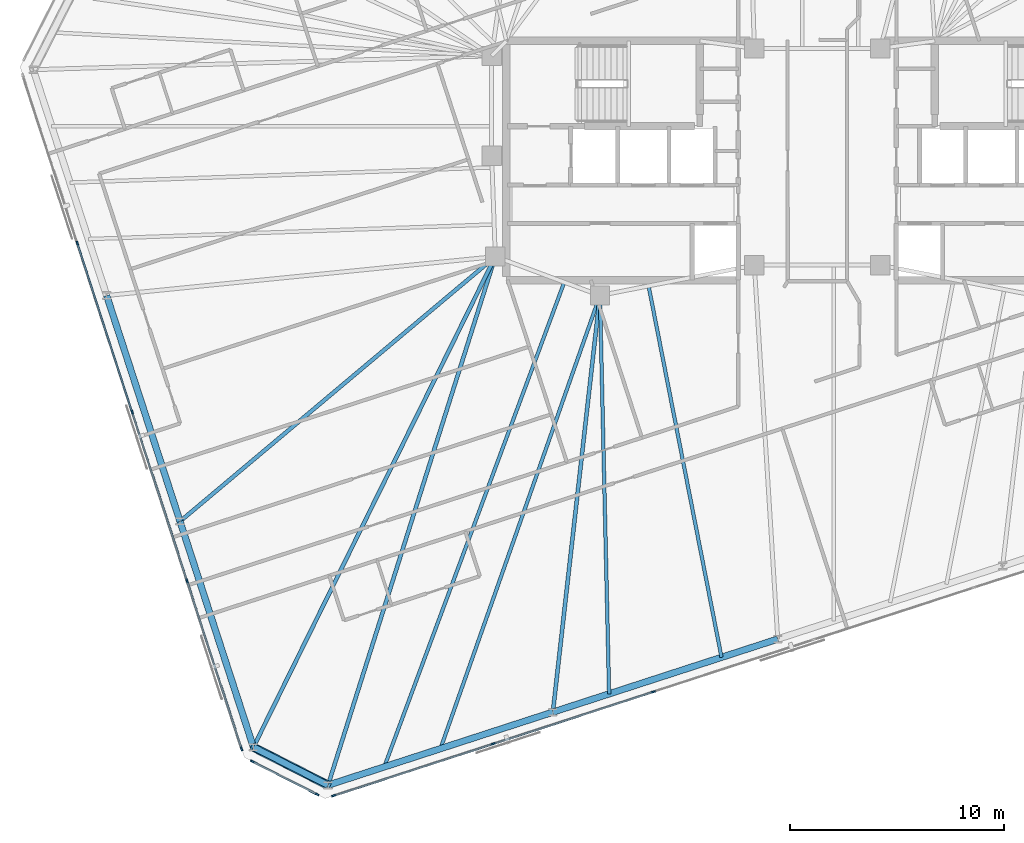
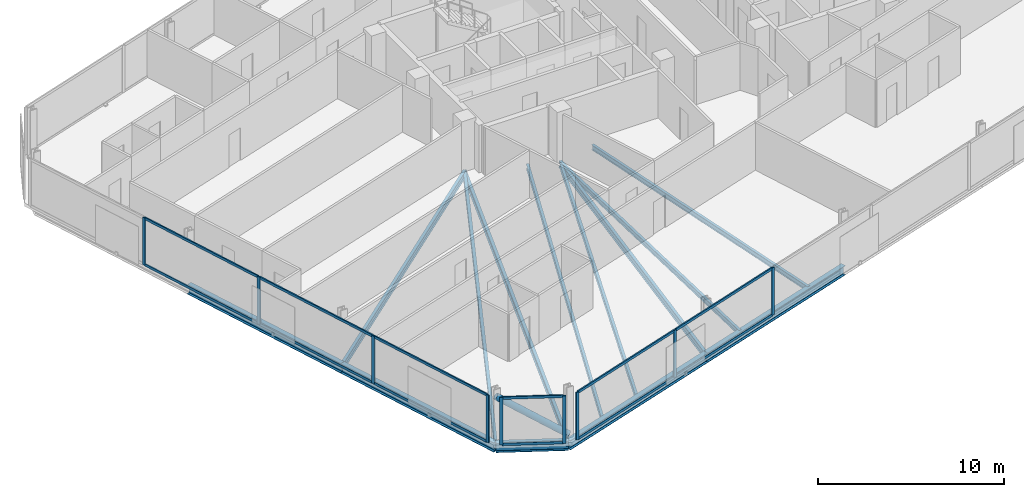
# One storey, part 5 of 19: 22 members, 13 beams, 3 elements without a shape of their own.
"""IFC4 building model written with IfcOpenShell, lengths in metres."""

from ifc_helpers import new_model, si_unit, direction, frame, origin, origin_2d, place, context, subcontext, project, spatial, rectangle, hollow_circle, i_section, extrude, material, material_profile, profile_set, type_object, element, aggregate, save


model = new_model("IFC4")

# Units and contexts
model_context = context("Model", 3, precision=1e-05, world=origin(), true_north=direction((0.0, 1.0)))
body_context = subcontext(model_context, "Body", "Model", "MODEL_VIEW")
ifc_project = project(units=[si_unit("LENGTHUNIT", "METRE"), si_unit("AREAUNIT", "SQUARE_METRE"), si_unit("VOLUMEUNIT", "CUBIC_METRE"), si_unit("PLANEANGLEUNIT", "RADIAN"), si_unit("MASSUNIT", "GRAM", prefix="KILO")], contexts=[model_context])

# Site, building, storey
site_placement = place(None, origin())
site = spatial("IfcSite", under=ifc_project, at=site_placement, CompositionType="ELEMENT")
building_placement = place(site_placement, origin())
building = spatial("IfcBuilding", under=site, at=building_placement, Name="Menara Jurai Vektor", CompositionType="ELEMENT")
storey_placement = place(building_placement, frame((0.0, 0.0, 210.89990234375)))
storey = spatial("IfcBuildingStorey", under=building, at=storey_placement, Name="L55", CompositionType="ELEMENT", Elevation=210.89990234375)

# Curtain wall, members
ifc_material_1 = material(Name="Anodised Pale Aluminium & Low-E Double Glazing", Category="aluminium")
curtain_wall_type = type_object("IfcCurtainWallType", Name="CW-BLK4", PredefinedType="NOTDEFINED", material=ifc_material_1)
curtain_wall_1_placement = place(storey_placement, origin())
curtain_wall_1 = element("IfcCurtainWall", 1, at=curtain_wall_1_placement, inside=storey, type_object=curtain_wall_type, Name="Unitised Curtain Wall L55 F01", PredefinedType="NOTDEFINED")
ifc_material_2 = material(Name="Anodised Pale Aluminium Mullion", Category="aluminium")
ifc_material_profile_1 = material_profile(ifc_material_2, rectangle(XDim=0.080078125, YDim=0.18994140625, at=origin_2d()), Name="ALU MUL 80x190")
ifc_profile_set_1 = profile_set([ifc_material_profile_1], Name="Anodised Pale Aluminium Mullion")
member_type_1 = type_object("IfcMemberType", Name="CW-BLK4-MUL", PredefinedType="MULLION", material=ifc_profile_set_1)
member_1_placement = place(storey_placement, frame((-22.649658203125, -29.743896484375, 0.0), z_axis=(0.0, 0.0, 1.0), x_axis=(-0.309017344167, 0.951056402641, 0.0)))
member_1 = element("IfcMember", 2, at=member_1_placement, type_object=member_type_1, Name="CW-04 mullion 1", PredefinedType="MULLION", context=body_context, shape_type="SweptSolid", body=[
    extrude(rectangle(XDim=0.080078125, YDim=0.18994140625, at=origin_2d()), origin(), (0.0, 0.0, 1.0), 3.125),
])
member_2_placement = place(storey_placement, frame((-15.1826171875, -27.317626953125, 0.0), z_axis=(0.0, 0.0, 1.0), x_axis=(-0.309017344167, 0.951056402641, 0.0)))
member_2 = element("IfcMember", 3, at=member_2_placement, type_object=member_type_1, Name="CW-04 mullion 2", PredefinedType="MULLION", context=body_context, shape_type="SweptSolid", body=[
    extrude(rectangle(XDim=0.080078125, YDim=0.18994140625, at=origin_2d()), origin(), (0.0, 0.0, 1.0), 3.125),
])
member_3_placement = place(storey_placement, frame((-7.677490234375, -24.879150390625, 0.0), z_axis=(0.0, 0.0, 1.0), x_axis=(-0.309017344167, 0.951056402641, 0.0)))
member_3 = element("IfcMember", 4, at=member_3_placement, type_object=member_type_1, Name="CW-04 mullion 3", PredefinedType="MULLION", context=body_context, shape_type="SweptSolid", body=[
    extrude(rectangle(XDim=0.080078125, YDim=0.18994140625, at=origin_2d()), origin(), (0.0, 0.0, 1.0), 3.125),
])

curtain_wall_2_placement = place(storey_placement, origin())
curtain_wall_2 = element("IfcCurtainWall", 5, at=curtain_wall_2_placement, inside=storey, type_object=curtain_wall_type, Name="Unitised Curtain Wall L55 F07", PredefinedType="NOTDEFINED")
member_4_placement = place(storey_placement, frame((-34.650634765625, -3.876220703125, 0.0), z_axis=(0.0, 0.0, 1.0), x_axis=(0.95105668295, 0.309016481464, 0.0)))
member_4 = element("IfcMember", 6, at=member_4_placement, type_object=member_type_1, Name="CW-04 mullion 2", PredefinedType="MULLION", context=body_context, shape_type="SweptSolid", body=[
    extrude(rectangle(XDim=0.080078125, YDim=0.18994140625, at=origin_2d()), origin(), (0.0, 0.0, 1.0), 3.125),
])
member_5_placement = place(storey_placement, frame((-32.082763671875, -11.779541015625, 0.0), z_axis=(0.0, 0.0, 1.0), x_axis=(0.95105668295, 0.309016481464, 0.0)))
member_5 = element("IfcMember", 7, at=member_5_placement, type_object=member_type_1, Name="CW-04 mullion 3", PredefinedType="MULLION", context=body_context, shape_type="SweptSolid", body=[
    extrude(rectangle(XDim=0.080078125, YDim=0.18994140625, at=origin_2d()), origin(), (0.0, 0.0, 1.0), 3.125),
])
member_6_placement = place(storey_placement, frame((-29.514892578125, -19.682861328125, 0.0), z_axis=(0.0, 0.0, 1.0), x_axis=(0.95105668295, 0.309016481464, 0.0)))
member_6 = element("IfcMember", 8, at=member_6_placement, type_object=member_type_1, Name="CW-04 mullion 4", PredefinedType="MULLION", context=body_context, shape_type="SweptSolid", body=[
    extrude(rectangle(XDim=0.080078125, YDim=0.18994140625, at=origin_2d()), origin(), (0.0, 0.0, 1.0), 3.125),
])
member_7_placement = place(storey_placement, frame((-26.959228515625, -27.548095703125, 0.0), z_axis=(0.0, 0.0, 1.0), x_axis=(0.95105668295, 0.309016481464, 0.0)))
member_7 = element("IfcMember", 9, at=member_7_placement, type_object=member_type_1, Name="CW-04 mullion 5", PredefinedType="MULLION", context=body_context, shape_type="SweptSolid", body=[
    extrude(rectangle(XDim=0.080078125, YDim=0.18994140625, at=origin_2d()), origin(), (0.0, 0.0, 1.0), 3.125),
])

curtain_wall_3_placement = place(storey_placement, origin())
curtain_wall_3 = element("IfcCurtainWall", 10, at=curtain_wall_3_placement, inside=storey, type_object=curtain_wall_type, Name="Unitised Curtain Wall L55 F08", PredefinedType="NOTDEFINED")
member_8_placement = place(storey_placement, frame((-26.455322265625, -28.13818359375, 0.0), z_axis=(0.0, 0.0, 1.0), x_axis=(0.453988579828, 0.89100750243, 0.0)))
member_8 = element("IfcMember", 11, at=member_8_placement, type_object=member_type_1, Name="CW-04 mullion 1", PredefinedType="MULLION", context=body_context, shape_type="SweptSolid", body=[
    extrude(rectangle(XDim=0.080078125, YDim=0.18994140625, at=origin_2d()), origin(), (0.0, 0.0, 1.0), 3.125),
])
member_9_placement = place(storey_placement, frame((-23.42333984375, -29.682861328125, 0.0), z_axis=(0.0, 0.0, 1.0), x_axis=(0.453988579828, 0.89100750243, 0.0)))
member_9 = element("IfcMember", 12, at=member_9_placement, type_object=member_type_1, Name="CW-04 mullion 2", PredefinedType="MULLION", context=body_context, shape_type="SweptSolid", body=[
    extrude(rectangle(XDim=0.080078125, YDim=0.18994140625, at=origin_2d()), origin(), (0.0, 0.0, 1.0), 3.125),
])

# Member
ifc_material_3 = material(Name="Anodised Pale Aluminium Transom", Category="aluminium")
ifc_material_profile_2 = material_profile(ifc_material_3, rectangle(XDim=0.080078125, YDim=0.1650390625, at=origin_2d()), Name="ALU TRN 80x165")
ifc_profile_set_2 = profile_set([ifc_material_profile_2], Name="Anodised Pale Aluminium Transom")
member_type_2 = type_object("IfcMemberType", Name="CW-BLK4-TRN", PredefinedType="USERDEFINED", material=ifc_profile_set_2)
member_10_placement = place(storey_placement, frame((-22.61181640625, -29.7314453125, 0.0400390625), z_axis=(0.951062230089, 0.308999408573, 0.0), x_axis=(-0.308999408573, 0.951062230089, 0.0)))
member_10 = element("IfcMember", 13, at=member_10_placement, type_object=member_type_2, Name="CW-04 transom 1.1", ObjectType="TRANSOM", PredefinedType="USERDEFINED", context=body_context, shape_type="SweptSolid", body=[
    extrude(rectangle(XDim=0.080078125, YDim=0.1650390625, at=origin_2d()), origin(), (0.0, 0.0, 1.0), 7.771484375),
])

member_11_placement = place(storey_placement, frame((-22.61181640625, -29.7314453125, 3.085205078125), z_axis=(0.951062230089, 0.308999408573, 0.0), x_axis=(-0.308999408573, 0.951062230089, 0.0)))
member_11 = element("IfcMember", 14, at=member_11_placement, type_object=member_type_2, Name="CW-04 transom 1.2", ObjectType="TRANSOM", PredefinedType="USERDEFINED", context=body_context, shape_type="SweptSolid", body=[
    extrude(rectangle(XDim=0.080078125, YDim=0.1650390625, at=origin_2d()), origin(), (0.0, 0.0, 1.0), 7.771484375),
])

member_12_placement = place(storey_placement, frame((-15.14453125, -27.30517578125, 0.0400390625), z_axis=(0.95105634578, 0.309017519167, 0.0), x_axis=(-0.309017519167, 0.95105634578, 0.0)))
member_12 = element("IfcMember", 15, at=member_12_placement, type_object=member_type_2, Name="CW-04 transom 2.1", ObjectType="TRANSOM", PredefinedType="USERDEFINED", context=body_context, shape_type="SweptSolid", body=[
    extrude(rectangle(XDim=0.080078125, YDim=0.1650390625, at=origin_2d()), origin(), (0.0, 0.0, 1.0), 7.811279296875),
])

member_13_placement = place(storey_placement, frame((-15.14453125, -27.30517578125, 3.085205078125), z_axis=(0.95105634578, 0.309017519167, 0.0), x_axis=(-0.309017519167, 0.95105634578, 0.0)))
member_13 = element("IfcMember", 16, at=member_13_placement, type_object=member_type_2, Name="CW-04 transom 2.2", ObjectType="TRANSOM", PredefinedType="USERDEFINED", context=body_context, shape_type="SweptSolid", body=[
    extrude(rectangle(XDim=0.080078125, YDim=0.1650390625, at=origin_2d()), origin(), (0.0, 0.0, 1.0), 7.811279296875),
])

aggregate(curtain_wall_1, [member_1, member_2, member_3, member_10, member_11, member_12, member_13])

member_14_placement = place(storey_placement, frame((-34.638427734375, -3.914306640625, 0.0400390625), z_axis=(0.309018994408, -0.951055866443, 0.0), x_axis=(0.951055866443, 0.309018994408, 0.0)))
member_14 = element("IfcMember", 17, at=member_14_placement, type_object=member_type_2, Name="CW-04 transom 2.1", ObjectType="TRANSOM", PredefinedType="USERDEFINED", context=body_context, shape_type="SweptSolid", body=[
    extrude(rectangle(XDim=0.080078125, YDim=0.1650390625, at=origin_2d()), origin(), (0.0, 0.0, 1.0), 8.22998046875),
])

member_15_placement = place(storey_placement, frame((-34.638427734375, -3.914306640625, 3.085205078125), z_axis=(0.309018994408, -0.951055866443, 0.0), x_axis=(0.951055866443, 0.309018994408, 0.0)))
member_15 = element("IfcMember", 18, at=member_15_placement, type_object=member_type_2, Name="CW-04 transom 2.2", ObjectType="TRANSOM", PredefinedType="USERDEFINED", context=body_context, shape_type="SweptSolid", body=[
    extrude(rectangle(XDim=0.080078125, YDim=0.1650390625, at=origin_2d()), origin(), (0.0, 0.0, 1.0), 8.22998046875),
])

member_16_placement = place(storey_placement, frame((-32.0703125, -11.817626953125, 0.0400390625), z_axis=(0.309018994408, -0.951055866443, 0.0), x_axis=(0.951055866443, 0.309018994408, 0.0)))
member_16 = element("IfcMember", 19, at=member_16_placement, type_object=member_type_2, Name="CW-04 transom 3.1", ObjectType="TRANSOM", PredefinedType="USERDEFINED", context=body_context, shape_type="SweptSolid", body=[
    extrude(rectangle(XDim=0.080078125, YDim=0.1650390625, at=origin_2d()), origin(), (0.0, 0.0, 1.0), 8.22998046875),
])

member_17_placement = place(storey_placement, frame((-32.0703125, -11.817626953125, 3.085205078125), z_axis=(0.309018994408, -0.951055866443, 0.0), x_axis=(0.951055866443, 0.309018994408, 0.0)))
member_17 = element("IfcMember", 20, at=member_17_placement, type_object=member_type_2, Name="CW-04 transom 3.2", ObjectType="TRANSOM", PredefinedType="USERDEFINED", context=body_context, shape_type="SweptSolid", body=[
    extrude(rectangle(XDim=0.080078125, YDim=0.1650390625, at=origin_2d()), origin(), (0.0, 0.0, 1.0), 8.22998046875),
])

member_18_placement = place(storey_placement, frame((-29.50244140625, -19.720947265625, 0.0400390625), z_axis=(0.309010577384, -0.951058601278, 0.0), x_axis=(0.951058601278, 0.309010577384, 0.0)))
member_18 = element("IfcMember", 21, at=member_18_placement, type_object=member_type_2, Name="CW-04 transom 4.1", ObjectType="TRANSOM", PredefinedType="USERDEFINED", context=body_context, shape_type="SweptSolid", body=[
    extrude(rectangle(XDim=0.080078125, YDim=0.1650390625, at=origin_2d()), origin(), (0.0, 0.0, 1.0), 8.18994140625),
])

member_19_placement = place(storey_placement, frame((-29.50244140625, -19.720947265625, 3.085205078125), z_axis=(0.309010577384, -0.951058601278, 0.0), x_axis=(0.951058601278, 0.309010577384, 0.0)))
member_19 = element("IfcMember", 22, at=member_19_placement, type_object=member_type_2, Name="CW-04 transom 4.2", ObjectType="TRANSOM", PredefinedType="USERDEFINED", context=body_context, shape_type="SweptSolid", body=[
    extrude(rectangle(XDim=0.080078125, YDim=0.1650390625, at=origin_2d()), origin(), (0.0, 0.0, 1.0), 8.18994140625),
])

aggregate(curtain_wall_2, [member_4, member_5, member_6, member_7, member_14, member_15, member_16, member_17, member_18, member_19])

member_20_placement = place(storey_placement, frame((-26.419677734375, -28.15625, 0.0400390625), z_axis=(0.89100697374, -0.453989617444, 0.0), x_axis=(0.453989617444, 0.89100697374, 0.0)))
member_20 = element("IfcMember", 23, at=member_20_placement, type_object=member_type_2, Name="CW-04 transom 1.1", ObjectType="TRANSOM", PredefinedType="USERDEFINED", context=body_context, shape_type="SweptSolid", body=[
    extrude(rectangle(XDim=0.080078125, YDim=0.1650390625, at=origin_2d()), origin(), (0.0, 0.0, 1.0), 3.32275390625),
])

member_21_placement = place(storey_placement, frame((-26.419677734375, -28.15625, 3.085205078125), z_axis=(0.89100697374, -0.453989617444, 0.0), x_axis=(0.453989617444, 0.89100697374, 0.0)))
member_21 = element("IfcMember", 24, at=member_21_placement, type_object=member_type_2, Name="CW-04 transom 1.2", ObjectType="TRANSOM", PredefinedType="USERDEFINED", context=body_context, shape_type="SweptSolid", body=[
    extrude(rectangle(XDim=0.080078125, YDim=0.1650390625, at=origin_2d()), origin(), (0.0, 0.0, 1.0), 3.32275390625),
])

aggregate(curtain_wall_3, [member_8, member_9, member_20, member_21])

# Beams
ifc_material_4 = material(Name="Steel S355", Category="steel")
ifc_material_profile_3 = material_profile(ifc_material_4, i_section(OverallWidth=0.18505859375, OverallDepth=0.429931640625, WebThickness=0.010986328125, FlangeThickness=0.01806640625, at=origin_2d()), Name="PG 430x185x76")
ifc_profile_set_3 = profile_set([ifc_material_profile_3], Name="Steel S355")
beam_type_1 = type_object("IfcBeamType", Name="STR-BM-430", PredefinedType="BEAM", material=ifc_profile_set_3)
beam_1_placement = place(storey_placement, frame((-22.912841796875, -29.2509765625, -0.43994140625), z_axis=(0.301715059084, 0.953398145122, 0.0), x_axis=(-0.953398145122, 0.301715059084, 0.0)))
element("IfcBeam", 25, at=beam_1_placement, inside=storey, type_object=beam_type_1, Name="Radial Floor Girder L55-S1", PredefinedType="BEAM", context=body_context, shape_type="SweptSolid", body=[
    extrude(i_section(OverallWidth=0.18505859375, OverallDepth=0.429931640625, WebThickness=0.010986328125, FlangeThickness=0.01806640625, at=origin_2d()), origin(), (0.0, 0.0, 1.0), 25.960693359375),
])
beam_2_placement = place(storey_placement, frame((-12.383544921875, -25.829833984375, -0.43994140625), z_axis=(0.112235588534, 0.993681625404, 0.0), x_axis=(-0.993681625404, 0.112235588534, 0.0)))
element("IfcBeam", 26, at=beam_2_placement, inside=storey, type_object=beam_type_1, Name="Radial Floor Girder L55-S2", PredefinedType="BEAM", context=body_context, shape_type="SweptSolid", body=[
    extrude(i_section(OverallWidth=0.18505859375, OverallDepth=0.429931640625, WebThickness=0.010986328125, FlangeThickness=0.01806640625, at=origin_2d()), origin(), (0.0, 0.0, 1.0), 19.6337890625),
])
beam_3_placement = place(storey_placement, frame((-29.841796875, -16.896728515625, -0.43994140625), z_axis=(0.765784449649, 0.64309733064, 0.0), x_axis=(-0.64309733064, 0.765784449649, 0.0)))
element("IfcBeam", 27, at=beam_3_placement, inside=storey, type_object=beam_type_1, Name="Radial Floor Girder L55-W3", PredefinedType="BEAM", context=body_context, shape_type="SweptSolid", body=[
    extrude(i_section(OverallWidth=0.18505859375, OverallDepth=0.429931640625, WebThickness=0.010986328125, FlangeThickness=0.01806640625, at=origin_2d()), origin(), (0.0, 0.0, 1.0), 19.276611328125),
])
beam_4_placement = place(storey_placement, frame((-26.406005859375, -27.47119140625, -0.43994140625), z_axis=(0.442219272094, 0.896906971424, 0.0), x_axis=(-0.896906971424, 0.442219272094, 0.0)))
element("IfcBeam", 28, at=beam_4_placement, inside=storey, type_object=beam_type_1, Name="Radial Floor Girder L55-W4", PredefinedType="BEAM", context=body_context, shape_type="SweptSolid", body=[
    extrude(i_section(OverallWidth=0.18505859375, OverallDepth=0.429931640625, WebThickness=0.010986328125, FlangeThickness=0.01806640625, at=origin_2d()), origin(), (0.0, 0.0, 1.0), 25.611572265625),
])

# Member
ifc_material_5 = material(Name="Steel S460", Category="steel")
ifc_material_profile_4 = material_profile(ifc_material_5, hollow_circle(Radius=0.203125, WallThickness=0.01611328125, at=origin_2d()), Name="CHS 406.4x16")
ifc_profile_set_4 = profile_set([ifc_material_profile_4], Name="Steel S460")
member_type_3 = type_object("IfcMemberType", Name="STR-BR-406", PredefinedType="BRACE", material=ifc_profile_set_4)
member_22_placement = place(storey_placement, frame((-22.912841796875, -29.2509765625, 0.150146484375), z_axis=(-0.740375367811, 0.377225079071, 0.556368182465), x_axis=(-0.453976155955, -0.891013832566, 0.0)))
element("IfcMember", 29, at=member_22_placement, inside=storey, type_object=member_type_3, Name="Exoskeleton Corner Brace L55-4", PredefinedType="BRACE", context=body_context, shape_type="SweptSolid", body=[
    extrude(hollow_circle(Radius=0.203125, WallThickness=0.01611328125, at=origin_2d()), origin(), (0.0, 0.0, 1.0), 4.718017578125),
])

# Beams
ifc_material_profile_5 = material_profile(ifc_material_4, i_section(OverallWidth=0.1650390625, OverallDepth=0.330078125, WebThickness=0.009033203125, FlangeThickness=0.013916015625, at=origin_2d()), Name="PG 330x165x46")
ifc_profile_set_5 = profile_set([ifc_material_profile_5], Name="Steel S355")
beam_type_2 = type_object("IfcBeamType", Name="STR-JS-330", PredefinedType="JOIST", material=ifc_profile_set_5)
beam_5_placement = place(storey_placement, frame((-20.280517578125, -28.395751953125, -0.389892578125), z_axis=(0.348182225555, 0.937426870645, 0.0), x_axis=(-0.937426870645, 0.348182225555, 0.0)))
element("IfcBeam", 30, at=beam_5_placement, inside=storey, type_object=beam_type_2, Name="Radial Secondary Floor Joist L55-JS01", PredefinedType="JOIST", context=body_context, shape_type="SweptSolid", body=[
    extrude(i_section(OverallWidth=0.1650390625, OverallDepth=0.330078125, WebThickness=0.009033203125, FlangeThickness=0.013916015625, at=origin_2d()), origin(), (0.0, 0.0, 1.0), 24.211181640625),
])
beam_6_placement = place(storey_placement, frame((-17.648193359375, -27.540283203125, -0.389892578125), z_axis=(0.331980963321, 0.943286085974, 0.0), x_axis=(-0.943286085974, 0.331980963321, 0.0)))
element("IfcBeam", 31, at=beam_6_placement, inside=storey, type_object=beam_type_2, Name="Radial Secondary Floor Joist L55-JS02", PredefinedType="JOIST", context=body_context, shape_type="SweptSolid", body=[
    extrude(i_section(OverallWidth=0.1650390625, OverallDepth=0.330078125, WebThickness=0.009033203125, FlangeThickness=0.013916015625, at=origin_2d()), origin(), (0.0, 0.0, 1.0), 22.49609375),
])
beam_7_placement = place(storey_placement, frame((-9.751220703125, -24.974609375, -0.389892578125), z_axis=(-0.022975519442, 0.999736027913, 0.0), x_axis=(-0.999736027913, -0.022975519442, 0.0)))
element("IfcBeam", 32, at=beam_7_placement, inside=storey, type_object=beam_type_2, Name="Radial Secondary Floor Joist L55-JS03", PredefinedType="JOIST", context=body_context, shape_type="SweptSolid", body=[
    extrude(i_section(OverallWidth=0.1650390625, OverallDepth=0.330078125, WebThickness=0.009033203125, FlangeThickness=0.013916015625, at=origin_2d()), origin(), (0.0, 0.0, 1.0), 18.659423828125),
])
beam_8_placement = place(storey_placement, frame((-4.486572265625, -23.263916015625, -0.389892578125), z_axis=(-0.192724225092, 0.981252960792, 0.0), x_axis=(-0.981252960792, -0.192724225092, 0.0)))
element("IfcBeam", 33, at=beam_8_placement, inside=storey, type_object=beam_type_2, Name="Radial Secondary Floor Joist L55-JS04", PredefinedType="JOIST", context=body_context, shape_type="SweptSolid", body=[
    extrude(i_section(OverallWidth=0.1650390625, OverallDepth=0.330078125, WebThickness=0.009033203125, FlangeThickness=0.013916015625, at=origin_2d()), origin(), (0.0, 0.0, 1.0), 17.7236328125),
])
ifc_material_profile_6 = material_profile(ifc_material_4, i_section(OverallWidth=0.306884765625, OverallDepth=0.6201171875, WebThickness=0.013916015625, FlangeThickness=0.02392578125, FilletRadius=0.01708984375, at=origin_2d()), Name="UKB 610x305x179")
ifc_profile_set_6 = profile_set([ifc_material_profile_6], Name="Steel S355")
beam_type_3 = type_object("IfcBeamType", Name="STR-SP-610", PredefinedType="SPANDREL", material=ifc_profile_set_6)
for number, where, z_axis, x_axis, name in (
    (34, (-22.912841796875, -29.2509765625, -0.534912109375), (0.951057401967, 0.309014268544, 0.0), (-0.309014268544, 0.951057401967, 0.0), "Exoskeleton Spandrel Beam L55-01"),
    (35, (-12.383544921875, -25.829833984375, -0.534912109375), (0.951057401967, 0.309014268544, 0.0), (-0.309014268544, 0.951057401967, 0.0), "Exoskeleton Spandrel Beam L55-02"),
):
    element("IfcBeam", number, at=place(storey_placement, frame(where, z_axis=z_axis, x_axis=x_axis)), inside=storey, type_object=beam_type_3, Name=name, PredefinedType="SPANDREL", context=body_context, shape_type="SweptSolid", body=[
        extrude(i_section(OverallWidth=0.306884765625, OverallDepth=0.6201171875, WebThickness=0.013916015625, FlangeThickness=0.02392578125, FilletRadius=0.01708984375, at=origin_2d()), origin(), (0.0, 0.0, 1.0), 11.071044921875),
    ])
beam_9_placement = place(storey_placement, frame((-33.277587890625, -6.322509765625, -0.534912109375), z_axis=(0.309018545885, -0.951056012178, 0.0), x_axis=(0.951056012178, 0.309018545885, 0.0)))
element("IfcBeam", 36, at=beam_9_placement, inside=storey, type_object=beam_type_3, Name="Exoskeleton Spandrel Beam L55-18", PredefinedType="SPANDREL", context=body_context, shape_type="SweptSolid", body=[
    extrude(i_section(OverallWidth=0.306884765625, OverallDepth=0.6201171875, WebThickness=0.013916015625, FlangeThickness=0.02392578125, FilletRadius=0.01708984375, at=origin_2d()), origin(), (0.0, 0.0, 1.0), 11.118408203125),
])
beam_10_placement = place(storey_placement, frame((-29.841796875, -16.896728515625, -0.534912109375), z_axis=(0.309012092614, -0.95105810896, 0.0), x_axis=(0.95105810896, 0.309012092614, 0.0)))
element("IfcBeam", 37, at=beam_10_placement, inside=storey, type_object=beam_type_3, Name="Exoskeleton Spandrel Beam L55-19", PredefinedType="SPANDREL", context=body_context, shape_type="SweptSolid", body=[
    extrude(i_section(OverallWidth=0.306884765625, OverallDepth=0.6201171875, WebThickness=0.013916015625, FlangeThickness=0.02392578125, FilletRadius=0.01708984375, at=origin_2d()), origin(), (0.0, 0.0, 1.0), 11.11865234375),
])
beam_11_placement = place(storey_placement, frame((-26.406005859375, -27.47119140625, -0.534912109375), z_axis=(0.891013832566, -0.453976155955, 0.0), x_axis=(0.453976155955, 0.891013832566, 0.0)))
element("IfcBeam", 38, at=beam_11_placement, inside=storey, type_object=beam_type_3, Name="Exoskeleton Spandrel Beam L55-20", PredefinedType="SPANDREL", context=body_context, shape_type="SweptSolid", body=[
    extrude(i_section(OverallWidth=0.306884765625, OverallDepth=0.6201171875, WebThickness=0.013916015625, FlangeThickness=0.02392578125, FilletRadius=0.01708984375, at=origin_2d()), origin(), (0.0, 0.0, 1.0), 3.92041015625),
])

save(model, "model.ifc")
